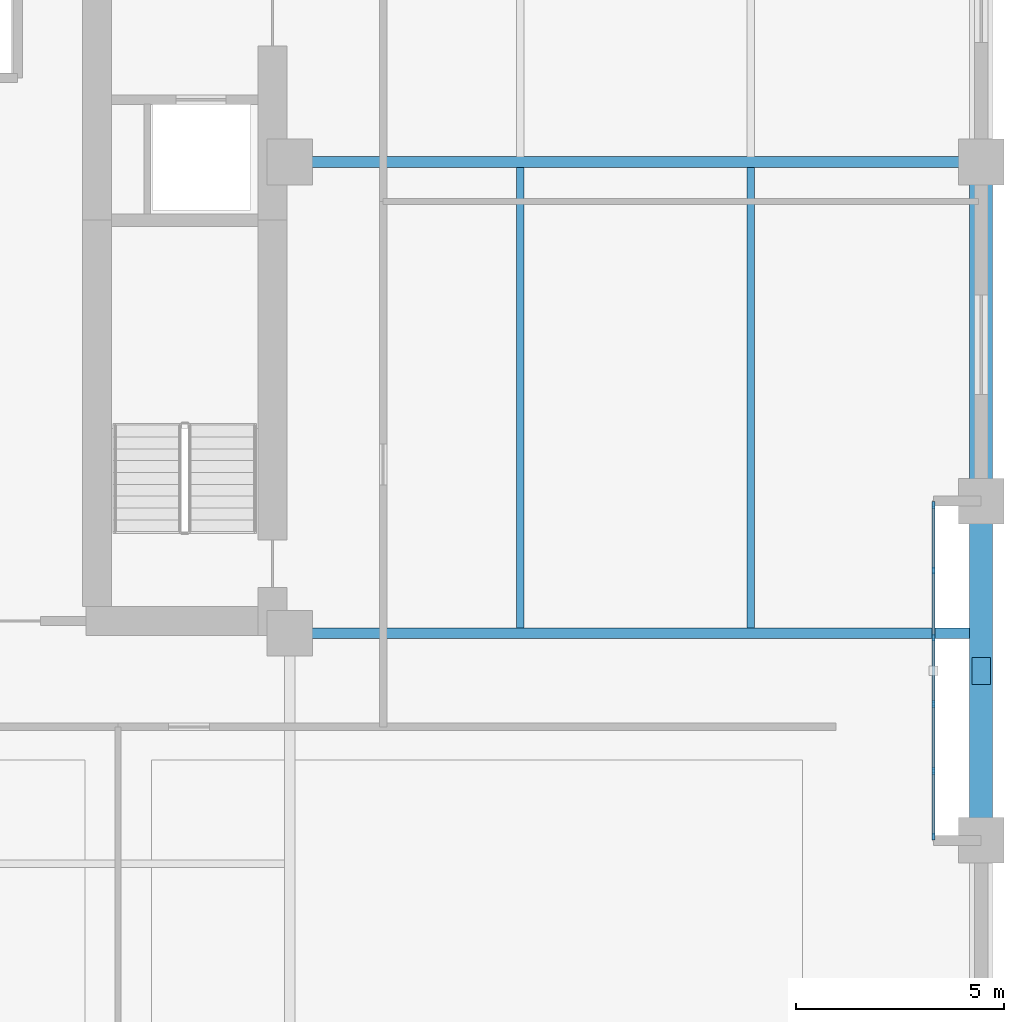
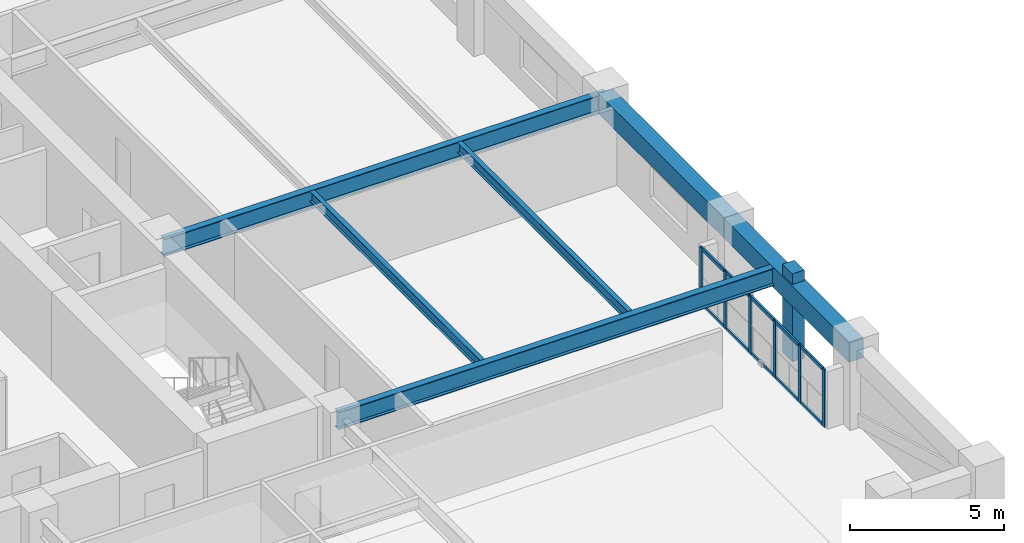
# One storey, part 2 of 12: 17 members, 6 beams, 1 element without a shape of its own.
"""IFC4 building model written with IfcOpenShell, lengths in metres."""

from ifc_helpers import new_model, si_unit, direction, frame, origin, origin_2d, place, context, subcontext, project, spatial, rectangle, i_section, extrude, material, layer, layer_set, material_profile, profile_set, type_object, element, aggregate, save


model = new_model("IFC4")

# Units and contexts
model_context = context("Model", 3, precision=1e-05, world=origin(), true_north=direction((0.0, 1.0)))
body_context = subcontext(model_context, "Body", "Model", "MODEL_VIEW")
ifc_project = project(units=[si_unit("LENGTHUNIT", "METRE"), si_unit("AREAUNIT", "SQUARE_METRE"), si_unit("VOLUMEUNIT", "CUBIC_METRE"), si_unit("PLANEANGLEUNIT", "RADIAN"), si_unit("MASSUNIT", "GRAM", prefix="KILO")], contexts=[model_context])

# Site, building, storey
site_placement = place(None, origin())
site = spatial("IfcSite", under=ifc_project, at=site_placement, CompositionType="ELEMENT")
building_placement = place(site_placement, origin())
building = spatial("IfcBuilding", under=site, at=building_placement, Name="Nhamokura Convention Tower", CompositionType="ELEMENT")
storey_placement = place(building_placement, frame((0.0, 0.0, 96.25)))
storey = spatial("IfcBuildingStorey", under=building, at=storey_placement, Name="L23", CompositionType="ELEMENT", Elevation=96.25)

# Member
ifc_material_1 = material(Name="Bronze-pigmented precast concrete C45/55", Category="concrete")
ifc_material_profile_1 = material_profile(ifc_material_1, rectangle(XDim=0.449951171875, YDim=0.64990234375, at=origin_2d()))
ifc_profile_set_1 = profile_set([ifc_material_profile_1], Name="Bronze-pigmented precast concrete C45/55")
member_type_1 = type_object("IfcMemberType", Name="BronzePilaster_650", PredefinedType="USERDEFINED", material=ifc_profile_set_1)
member_1_placement = place(storey_placement, frame((60.0, 19.75, 0.0), z_axis=(0.0, 0.0, 1.0), x_axis=(1.0, 0.0, 0.0)))
element("IfcMember", 1, at=member_1_placement, inside=storey, type_object=member_type_1, Name="L23 Engaged Frame Pilaster EAST 1", ObjectType="PILASTER_TRIM", PredefinedType="USERDEFINED", context=body_context, shape_type="SweptSolid", body=[
    extrude(rectangle(XDim=0.449951171875, YDim=0.64990234375, at=origin_2d()), origin(), (0.0, 0.0, 1.0), 3.5),
])

# Curtain wall, members
ifc_material_2 = material(Name="Anodised bronze aluminium AA6063-T6", Category="aluminium")
ifc_layer = layer(ifc_material_2, 0.1650390625)
ifc_layer_set = layer_set([ifc_layer], Name="CWSystem_ScaleSlot_Zone1")
curtain_wall_type = type_object("IfcCurtainWallType", Name="CWSystem_ScaleSlot_Zone1", PredefinedType="NOTDEFINED", material=ifc_layer_set)
curtain_wall_placement = place(storey_placement, origin())
curtain_wall = element("IfcCurtainWall", 2, at=curtain_wall_placement, inside=storey, type_object=curtain_wall_type, Name="L23 Curtain Wall ENV-L23-SLOT-E1", PredefinedType="NOTDEFINED")
ifc_material_3 = material(Name="Anodised bronze aluminium AA6063-T6", Category="aluminium")
ifc_material_profile_2 = material_profile(ifc_material_3, rectangle(XDim=0.06494140625, YDim=0.1650390625, at=origin_2d()))
ifc_profile_set_2 = profile_set([ifc_material_profile_2], Name="Anodised bronze aluminium AA6063-T6")
member_type_2 = type_object("IfcMemberType", Name="CWMullion_3", PredefinedType="MULLION", material=ifc_profile_set_2)
member_2_placement = place(storey_placement, frame((58.85009765625, 23.74072265625, 0.0), z_axis=(0.0, 0.0, 1.0), x_axis=(1.0, 0.0, 0.0)))
member_2 = element("IfcMember", 3, at=member_2_placement, type_object=member_type_2, Name="CW-03 mullion 1", PredefinedType="MULLION", context=body_context, shape_type="SweptSolid", body=[
    extrude(rectangle(XDim=0.06494140625, YDim=0.1650390625, at=origin_2d()), origin(), (0.0, 0.0, 1.0), 2.280029296875),
])
member_3_placement = place(storey_placement, frame((58.85009765625, 22.1640625, 0.0), z_axis=(0.0, 0.0, 1.0), x_axis=(1.0, 0.0, 0.0)))
member_3 = element("IfcMember", 4, at=member_3_placement, type_object=member_type_2, Name="CW-03 mullion 2", PredefinedType="MULLION", context=body_context, shape_type="SweptSolid", body=[
    extrude(rectangle(XDim=0.06494140625, YDim=0.1650390625, at=origin_2d()), origin(), (0.0, 0.0, 1.0), 2.280029296875),
])
member_4_placement = place(storey_placement, frame((58.85009765625, 20.5546875, 0.0), z_axis=(0.0, 0.0, 1.0), x_axis=(1.0, 0.0, 0.0)))
member_4 = element("IfcMember", 5, at=member_4_placement, type_object=member_type_2, Name="CW-03 mullion 3", PredefinedType="MULLION", context=body_context, shape_type="SweptSolid", body=[
    extrude(rectangle(XDim=0.06494140625, YDim=0.1650390625, at=origin_2d()), origin(), (0.0, 0.0, 1.0), 2.280029296875),
])
member_5_placement = place(storey_placement, frame((58.85009765625, 18.9453125, 0.0), z_axis=(0.0, 0.0, 1.0), x_axis=(1.0, 0.0, 0.0)))
member_5 = element("IfcMember", 6, at=member_5_placement, type_object=member_type_2, Name="CW-03 mullion 4", PredefinedType="MULLION", context=body_context, shape_type="SweptSolid", body=[
    extrude(rectangle(XDim=0.06494140625, YDim=0.1650390625, at=origin_2d()), origin(), (0.0, 0.0, 1.0), 2.280029296875),
])
member_6_placement = place(storey_placement, frame((58.85009765625, 17.3359375, 0.0), z_axis=(0.0, 0.0, 1.0), x_axis=(1.0, 0.0, 0.0)))
member_6 = element("IfcMember", 7, at=member_6_placement, type_object=member_type_2, Name="CW-03 mullion 5", PredefinedType="MULLION", context=body_context, shape_type="SweptSolid", body=[
    extrude(rectangle(XDim=0.06494140625, YDim=0.1650390625, at=origin_2d()), origin(), (0.0, 0.0, 1.0), 2.280029296875),
])
member_7_placement = place(storey_placement, frame((58.85009765625, 15.75927734375, 0.0), z_axis=(0.0, 0.0, 1.0), x_axis=(1.0, 0.0, 0.0)))
member_7 = element("IfcMember", 8, at=member_7_placement, type_object=member_type_2, Name="CW-03 mullion 6", PredefinedType="MULLION", context=body_context, shape_type="SweptSolid", body=[
    extrude(rectangle(XDim=0.06494140625, YDim=0.1650390625, at=origin_2d()), origin(), (0.0, 0.0, 1.0), 2.280029296875),
])
ifc_material_4 = material(Name="Anodised bronze aluminium AA6063-T6", Category="aluminium")
ifc_material_profile_3 = material_profile(ifc_material_4, rectangle(XDim=0.06494140625, YDim=0.139892578125, at=origin_2d()))
ifc_profile_set_3 = profile_set([ifc_material_profile_3], Name="Anodised bronze aluminium AA6063-T6")
member_type_3 = type_object("IfcMemberType", Name="CWTransom_3", PredefinedType="USERDEFINED", material=ifc_profile_set_3)
member_8_placement = place(storey_placement, frame((58.85009765625, 23.708251953125, 0.032470703125), z_axis=(0.0, -1.0, 0.0), x_axis=(1.0, 0.0, 0.0)))
member_8 = element("IfcMember", 9, at=member_8_placement, type_object=member_type_3, Name="CW-03 transom 1.1", ObjectType="TRANSOM", PredefinedType="USERDEFINED", context=body_context, shape_type="SweptSolid", body=[
    extrude(rectangle(XDim=0.06494140625, YDim=0.139892578125, at=origin_2d()), origin(), (0.0, 0.0, 1.0), 1.51171875),
])
member_9_placement = place(storey_placement, frame((58.85009765625, 23.708251953125, 2.24755859375), z_axis=(0.0, -1.0, 0.0), x_axis=(1.0, 0.0, 0.0)))
member_9 = element("IfcMember", 10, at=member_9_placement, type_object=member_type_3, Name="CW-03 transom 1.2", ObjectType="TRANSOM", PredefinedType="USERDEFINED", context=body_context, shape_type="SweptSolid", body=[
    extrude(rectangle(XDim=0.06494140625, YDim=0.139892578125, at=origin_2d()), origin(), (0.0, 0.0, 1.0), 1.51171875),
])
member_10_placement = place(storey_placement, frame((58.85009765625, 22.131591796875, 0.032470703125), z_axis=(0.0, -1.0, 0.0), x_axis=(1.0, 0.0, 0.0)))
member_10 = element("IfcMember", 11, at=member_10_placement, type_object=member_type_3, Name="CW-03 transom 2.1", ObjectType="TRANSOM", PredefinedType="USERDEFINED", context=body_context, shape_type="SweptSolid", body=[
    extrude(rectangle(XDim=0.06494140625, YDim=0.139892578125, at=origin_2d()), origin(), (0.0, 0.0, 1.0), 1.54443359375),
])
member_11_placement = place(storey_placement, frame((58.85009765625, 22.131591796875, 2.24755859375), z_axis=(0.0, -1.0, 0.0), x_axis=(1.0, 0.0, 0.0)))
member_11 = element("IfcMember", 12, at=member_11_placement, type_object=member_type_3, Name="CW-03 transom 2.2", ObjectType="TRANSOM", PredefinedType="USERDEFINED", context=body_context, shape_type="SweptSolid", body=[
    extrude(rectangle(XDim=0.06494140625, YDim=0.139892578125, at=origin_2d()), origin(), (0.0, 0.0, 1.0), 1.54443359375),
])
member_12_placement = place(storey_placement, frame((58.85009765625, 20.522216796875, 0.032470703125), z_axis=(0.0, -1.0, 0.0), x_axis=(1.0, 0.0, 0.0)))
member_12 = element("IfcMember", 13, at=member_12_placement, type_object=member_type_3, Name="CW-03 transom 3.1", ObjectType="TRANSOM", PredefinedType="USERDEFINED", context=body_context, shape_type="SweptSolid", body=[
    extrude(rectangle(XDim=0.06494140625, YDim=0.139892578125, at=origin_2d()), origin(), (0.0, 0.0, 1.0), 1.54443359375),
])
member_13_placement = place(storey_placement, frame((58.85009765625, 20.522216796875, 2.24755859375), z_axis=(0.0, -1.0, 0.0), x_axis=(1.0, 0.0, 0.0)))
member_13 = element("IfcMember", 14, at=member_13_placement, type_object=member_type_3, Name="CW-03 transom 3.2", ObjectType="TRANSOM", PredefinedType="USERDEFINED", context=body_context, shape_type="SweptSolid", body=[
    extrude(rectangle(XDim=0.06494140625, YDim=0.139892578125, at=origin_2d()), origin(), (0.0, 0.0, 1.0), 1.54443359375),
])
member_14_placement = place(storey_placement, frame((58.85009765625, 18.912841796875, 0.032470703125), z_axis=(0.0, -1.0, 0.0), x_axis=(1.0, 0.0, 0.0)))
member_14 = element("IfcMember", 15, at=member_14_placement, type_object=member_type_3, Name="CW-03 transom 4.1", ObjectType="TRANSOM", PredefinedType="USERDEFINED", context=body_context, shape_type="SweptSolid", body=[
    extrude(rectangle(XDim=0.06494140625, YDim=0.139892578125, at=origin_2d()), origin(), (0.0, 0.0, 1.0), 1.54443359375),
])
member_15_placement = place(storey_placement, frame((58.85009765625, 18.912841796875, 2.24755859375), z_axis=(0.0, -1.0, 0.0), x_axis=(1.0, 0.0, 0.0)))
member_15 = element("IfcMember", 16, at=member_15_placement, type_object=member_type_3, Name="CW-03 transom 4.2", ObjectType="TRANSOM", PredefinedType="USERDEFINED", context=body_context, shape_type="SweptSolid", body=[
    extrude(rectangle(XDim=0.06494140625, YDim=0.139892578125, at=origin_2d()), origin(), (0.0, 0.0, 1.0), 1.54443359375),
])
member_16_placement = place(storey_placement, frame((58.85009765625, 17.303466796875, 0.032470703125), z_axis=(0.0, -1.0, 0.0), x_axis=(1.0, 0.0, 0.0)))
member_16 = element("IfcMember", 17, at=member_16_placement, type_object=member_type_3, Name="CW-03 transom 5.1", ObjectType="TRANSOM", PredefinedType="USERDEFINED", context=body_context, shape_type="SweptSolid", body=[
    extrude(rectangle(XDim=0.06494140625, YDim=0.139892578125, at=origin_2d()), origin(), (0.0, 0.0, 1.0), 1.51171875),
])
member_17_placement = place(storey_placement, frame((58.85009765625, 17.303466796875, 2.24755859375), z_axis=(0.0, -1.0, 0.0), x_axis=(1.0, 0.0, 0.0)))
member_17 = element("IfcMember", 18, at=member_17_placement, type_object=member_type_3, Name="CW-03 transom 5.2", ObjectType="TRANSOM", PredefinedType="USERDEFINED", context=body_context, shape_type="SweptSolid", body=[
    extrude(rectangle(XDim=0.06494140625, YDim=0.139892578125, at=origin_2d()), origin(), (0.0, 0.0, 1.0), 1.51171875),
])
aggregate(curtain_wall, [member_2, member_3, member_4, member_5, member_6, member_7, member_8, member_9, member_10, member_11, member_12, member_13, member_14, member_15, member_16, member_17])

# Beams
ifc_material_5 = material(Name="Steel ASTM A992 Gr 50", Category="steel")
ifc_material_profile_4 = material_profile(ifc_material_5, i_section(OverallWidth=0.178955078125, OverallDepth=0.409912109375, WebThickness=0.0087890625, FlangeThickness=0.014404296875, at=origin_2d()))
ifc_profile_set_4 = profile_set([ifc_material_profile_4], Name="Steel ASTM A992 Gr 50")
beam_type_1 = type_object("IfcBeamType", Name="FloorJoist_W410X67", PredefinedType="JOIST", material=ifc_profile_set_4)
for number, where, z_axis, x_axis, name in (
    (19, (48.89990234375, 20.77587890625, 2.875), (0.0, 1.0, 0.0), (-1.0, 0.0, 0.0), "L23 Composite Floor Joist E1A"),
    (20, (54.449951171875, 20.77587890625, 2.875), (0.0, 1.0, 0.0), (-1.0, 0.0, 0.0), "L23 Composite Floor Joist E2A"),
):
    element("IfcBeam", number, at=place(storey_placement, frame(where, z_axis=z_axis, x_axis=x_axis)), inside=storey, type_object=beam_type_1, Name=name, PredefinedType="JOIST", context=body_context, shape_type="SweptSolid", body=[
        extrude(i_section(OverallWidth=0.178955078125, OverallDepth=0.409912109375, WebThickness=0.0087890625, FlangeThickness=0.014404296875, at=origin_2d()), origin(), (0.0, 0.0, 1.0), 11.09814453125),
    ])
ifc_material_6 = material(Name="Steel ASTM A992 Gr 50", Category="steel")
ifc_material_profile_5 = material_profile(ifc_material_6, i_section(OverallWidth=0.256103515625, OverallDepth=0.693115234375, WebThickness=0.014404296875, FlangeThickness=0.023681640625, at=origin_2d()))
ifc_profile_set_5 = profile_set([ifc_material_profile_5], Name="Steel ASTM A992 Gr 50")
beam_type_2 = type_object("IfcBeamType", Name="PrimaryGirder_W690X170", PredefinedType="BEAM", material=ifc_profile_set_5)
for number, where, z_axis, x_axis, name in (
    (21, (43.35009765625, 20.64990234375, 2.7333984375), (1.0, 0.0, 0.0), (0.0, 1.0, 0.0), "L23 Primary Floor Girder PG-E1"),
    (22, (43.35009765625, 32.0, 2.7333984375), (1.0, 0.0, 0.0), (0.0, 1.0, 0.0), "L23 Primary Floor Girder PG-E2"),
):
    element("IfcBeam", number, at=place(storey_placement, frame(where, z_axis=z_axis, x_axis=x_axis)), inside=storey, type_object=beam_type_2, Name=name, PredefinedType="BEAM", context=body_context, shape_type="SweptSolid", body=[
        extrude(i_section(OverallWidth=0.256103515625, OverallDepth=0.693115234375, WebThickness=0.014404296875, FlangeThickness=0.023681640625, at=origin_2d()), origin(), (0.0, 0.0, 1.0), 16.64990234375),
    ])
ifc_material_7 = material(Name="Concrete C50/60", Category="concrete")
ifc_material_profile_6 = material_profile(ifc_material_7, rectangle(XDim=0.550048828125, YDim=0.800048828125, at=origin_2d()))
ifc_profile_set_6 = profile_set([ifc_material_profile_6], Name="Concrete C50/60")
beam_type_3 = type_object("IfcBeamType", Name="TubeSpandrel_800", PredefinedType="SPANDREL", material=ifc_profile_set_6)
beam_1_placement = place(storey_placement, frame((60.0, 15.666748046875, 2.679931640625), z_axis=(0.0, 1.0, 0.0), x_axis=(-1.0, 0.0, 0.0)))
element("IfcBeam", 23, at=beam_1_placement, inside=storey, type_object=beam_type_3, Name="L23 Perimeter Spandrel EAST 2", PredefinedType="SPANDREL", context=body_context, shape_type="SweptSolid", body=[
    extrude(rectangle(XDim=0.550048828125, YDim=0.800048828125, at=origin_2d()), origin(), (0.0, 0.0, 1.0), 8.16650390625),
])
beam_2_placement = place(storey_placement, frame((60.0, 23.833251953125, 2.679931640625), z_axis=(0.0, 1.0, 0.0), x_axis=(-1.0, 0.0, 0.0)))
element("IfcBeam", 24, at=beam_2_placement, inside=storey, type_object=beam_type_3, Name="L23 Perimeter Spandrel EAST 3", PredefinedType="SPANDREL", context=body_context, shape_type="SweptSolid", body=[
    extrude(rectangle(XDim=0.550048828125, YDim=0.800048828125, at=origin_2d()), origin(), (0.0, 0.0, 1.0), 8.166748046875),
])

save(model, "model.ifc")
